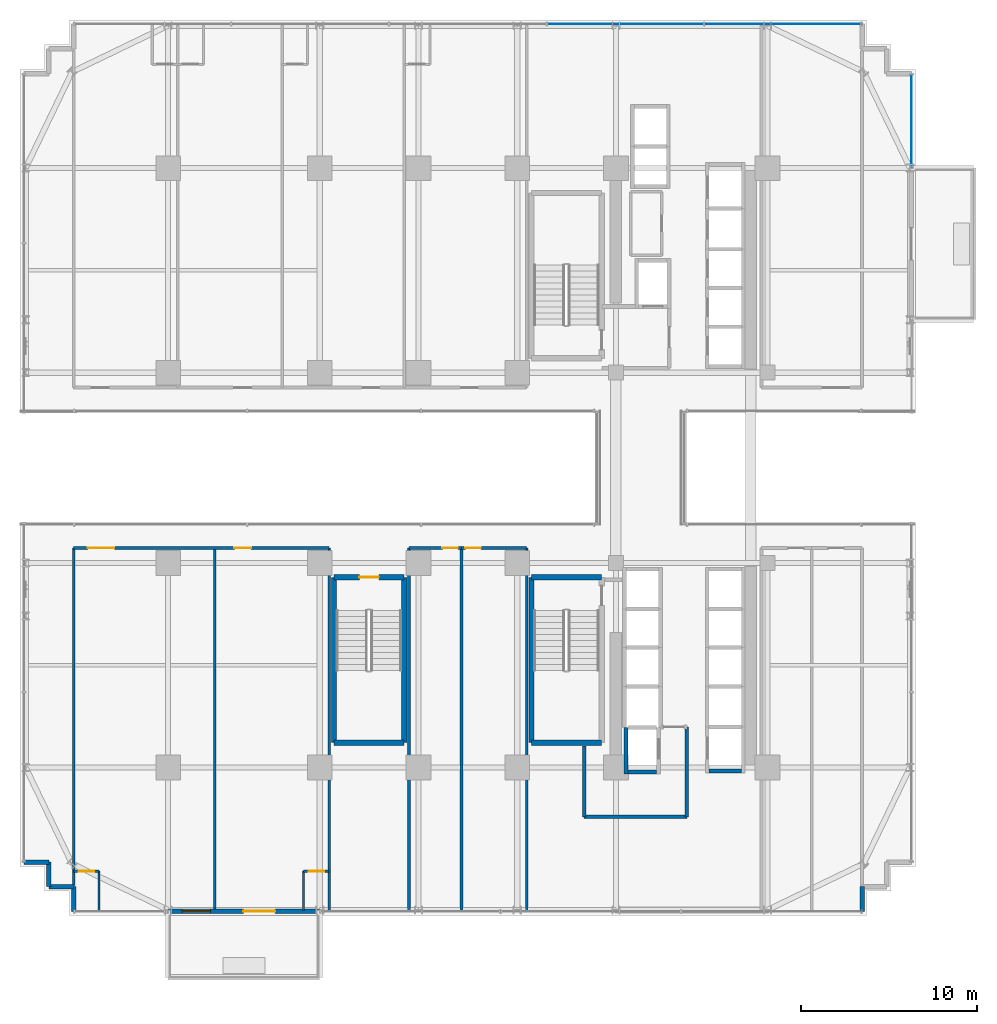
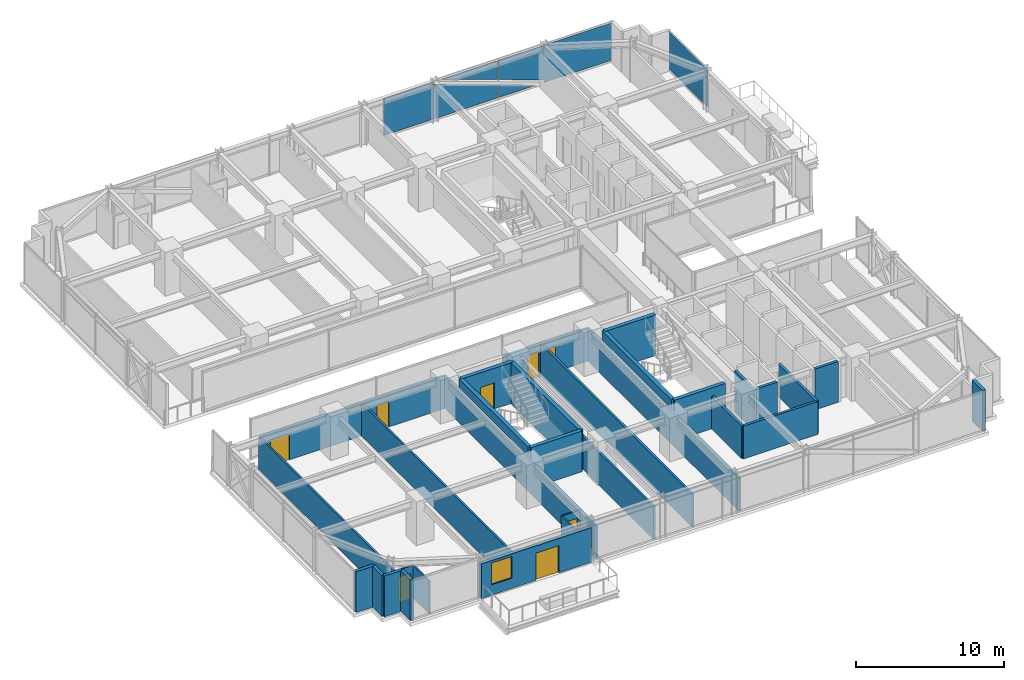
# One storey, part 35 of 43: 32 walls, 8 doors, 3 plates, 1 window, 9 openings, 2 elements without a shape of their own.
"""IFC4 building model written with IfcOpenShell, lengths in metres."""

from ifc_helpers import new_model, si_unit, direction, frame, frame_2d, origin, origin_2d, place, context, subcontext, project, spatial, polyline, rectangle, outline, extrude, source, transform, mapped, material, layer, layer_set, type_object, element, fill, aggregate, save


model = new_model("IFC4")

# Units and contexts
model_context = context("Model", 3, precision=1e-05, world=origin(), true_north=direction((0.0, 1.0)))
body_context = subcontext(model_context, "Body", "Model", "MODEL_VIEW")
ifc_project = project(units=[si_unit("LENGTHUNIT", "METRE"), si_unit("AREAUNIT", "SQUARE_METRE"), si_unit("VOLUMEUNIT", "CUBIC_METRE"), si_unit("PLANEANGLEUNIT", "RADIAN"), si_unit("MASSUNIT", "GRAM", prefix="KILO")], contexts=[model_context])

# Site, building, storey
site_placement = place(None, origin())
site = spatial("IfcSite", under=ifc_project, at=site_placement, CompositionType="ELEMENT")
building_placement = place(site_placement, origin())
building = spatial("IfcBuilding", under=site, at=building_placement, Name="Nahalor Promenade Grand Hotel", CompositionType="ELEMENT")
storey_placement = place(building_placement, frame((0.0, 0.0, 57.949951171875)))
storey = spatial("IfcBuildingStorey", under=building, at=storey_placement, Name="L13", CompositionType="ELEMENT", Elevation=57.949951171875)

# Curtain wall, plates
ifc_material_1 = material(Name="Anodised Bronze Aluminium EN AW-6063 T6", Category="aluminium")
curtain_wall_type = type_object("IfcCurtainWallType", Name="CW3 Elliptical-Void Collar Unitised Curtain Wall", PredefinedType="USERDEFINED", material=ifc_material_1)
curtain_wall_1_placement = place(storey_placement, origin())
curtain_wall_1 = element("IfcCurtainWall", 1, at=curtain_wall_1_placement, inside=storey, type_object=curtain_wall_type, Name="L13 Curtain Wall CW-L13-N-1", ObjectType="UNITISED_CURTAIN_WALL", PredefinedType="USERDEFINED")
ifc_material_2 = material(Name="Low-E Laminated Solar Glass", Category="glass")
ifc_layer_1 = layer(ifc_material_2, 0.030029296875)
ifc_layer_set_1 = layer_set([ifc_layer_1], Name="Low-E Laminated Solar Glass")
plate_type = type_object("IfcPlateType", Name="CWP3 High-Wind Laminated Bronze IGU 30mm", PredefinedType="CURTAIN_PANEL", material=ifc_layer_set_1)
plate_1_placement = place(storey_placement, frame((8.944091796875, 25.159912109375, 0.14013671875), z_axis=(0.0, 0.0, 1.0), x_axis=(1.0, 0.0, 0.0)))
plate_1 = element("IfcPlate", 2, at=plate_1_placement, type_object=plate_type, Name="CW-L13-N-1 Glazing Panel 3-0", PredefinedType="CURTAIN_PANEL", context=body_context, shape_type="SweptSolid", body=[
    extrude(outline(polyline([(-4.43701171875, 0.0), (4.43701171875, 0.0), (4.43701171875, 1.089599609375), (-0.634765625, 2.900146484375), (-0.56689453125, 3.090087890625), (-4.43701171875, 3.090087890625), (-4.43701171875, 0.0)])), frame((0.0, 0.01513671875, 0.0), z_axis=(0.0, -1.0, 0.0), x_axis=(1.0, 0.0, 0.0)), (0.0, 0.0, 1.0), 0.030029296875),
    extrude(outline(polyline([(4.43701171875, 1.51416015625), (4.43701171875, 3.090087890625), (0.02294921875, 3.090087890625), (4.43701171875, 1.51416015625)])), frame((0.0, 0.01513671875, 0.0), z_axis=(0.0, -1.0, 0.0), x_axis=(1.0, 0.0, 0.0)), (0.0, 0.0, 1.0), 0.030029296875),
])
plate_2_placement = place(storey_placement, frame((17.87060546875, 25.159912109375, 0.14013671875), z_axis=(0.0, 0.0, 1.0), x_axis=(1.0, 0.0, 0.0)))
plate_2 = element("IfcPlate", 3, at=plate_2_placement, type_object=plate_type, Name="CW-L13-N-1 Glazing Panel 4-0", PredefinedType="CURTAIN_PANEL", context=body_context, shape_type="SweptSolid", body=[
    extrude(outline(polyline([(4.41943359375, 3.090087890625), (-4.41943359375, 3.090087890625), (-4.41943359375, 1.4892578125), (-0.77978515625, 0.18994140625), (-0.847412109375, 0.0), (4.41943359375, 0.0), (4.41943359375, 3.090087890625)])), frame((0.0, 0.01513671875, 0.0), z_axis=(0.0, -1.0, 0.0), x_axis=(1.0, 0.0, 0.0)), (0.0, 0.0, 1.0), 0.030029296875),
    extrude(outline(polyline([(-4.41943359375, 1.064453125), (-4.41943359375, 0.0), (-1.437255859375, 0.0), (-4.41943359375, 1.064453125)])), frame((0.0, 0.01513671875, 0.0), z_axis=(0.0, -1.0, 0.0), x_axis=(1.0, 0.0, 0.0)), (0.0, 0.0, 1.0), 0.030029296875),
])
aggregate(curtain_wall_1, [plate_1, plate_2])

# Curtain wall, plate
curtain_wall_2_placement = place(storey_placement, origin())
curtain_wall_2 = element("IfcCurtainWall", 4, at=curtain_wall_2_placement, inside=storey, type_object=curtain_wall_type, Name="L13 Curtain Wall CW-L13-E-4", ObjectType="UNITISED_CURTAIN_WALL", PredefinedType="USERDEFINED")
shared_shape_1 = source(origin(), body_context, "Body", "SweptSolid", [
    extrude(rectangle(XDim=5.219970703125, YDim=0.030029296875, at=origin_2d()), origin(), (0.0, 0.0, 1.0), 3.090087890625),
])
plate_3_placement = place(storey_placement, frame((25.159912109375, 19.679931640625, 0.14013671875), z_axis=(0.0, 0.0, 1.0), x_axis=(0.0, 1.0, 0.0)))
plate_3 = element("IfcPlate", 5, at=plate_3_placement, type_object=plate_type, Name="CW-L13-E-4 Glazing Panel 0-0", PredefinedType="CURTAIN_PANEL", context=body_context, shape_type="MappedRepresentation", body=[
    mapped(shared_shape_1, transform((0.0, 0.0, 0.0), scale=1.0)),
])
aggregate(curtain_wall_2, [plate_3])

# Walls
ifc_material_3 = material(Name="Concrete B-50 (C40/50)", Category="concrete")
ifc_layer_2 = layer(ifc_material_3, 0.300048828125)
ifc_layer_set_2 = layer_set([ifc_layer_2], Name="Concrete B-50 (C40/50)")
wall_type_1 = type_object("IfcWallType", Name="Wall-ShaftShear-300", PredefinedType="SHEAR", material=ifc_layer_set_2)
shared_shape_2 = source(origin(), body_context, "Body", "SweptSolid", [
    extrude(rectangle(XDim=3.97998046875, YDim=0.300048828125, at=frame_2d((1.989990234375, 0.0))), origin(), (0.0, 0.0, 1.0), 3.3701171875),
])
for number, where, z_axis, x_axis, name in (
    (6, (3.610107421875, -15.590087890625, 0.0), (0.0, 0.0, 1.0), (1.0, 0.0, 0.0), "L13 Exit Stair ST2 Shaft Wall S"),
    (7, (3.610107421875, -6.2099609375, 0.0), (0.0, 0.0, 1.0), (1.0, 0.0, 0.0), "L13 Exit Stair ST2 Shaft Wall N"),
    (8, (-7.590087890625, -15.590087890625, 0.0), (0.0, 0.0, 1.0), (1.0, 0.0, 0.0), "L13 Exit Stair ST3 Shaft Wall S"),
):
    element("IfcWall", number, at=place(storey_placement, frame(where, z_axis=z_axis, x_axis=x_axis)), inside=storey, type_object=wall_type_1, Name=name, PredefinedType="SHEAR", context=body_context, shape_type="MappedRepresentation", body=[
        mapped(shared_shape_2, transform((0.0, 0.0, 0.0), scale=1.0)),
    ])

# Wall, opening, door
wall_1_placement = place(storey_placement, frame((-7.590087890625, -6.2099609375, 0.0), z_axis=(0.0, 0.0, 1.0), x_axis=(1.0, 0.0, 0.0)))
wall_1 = element("IfcWall", 9, at=wall_1_placement, inside=storey, type_object=wall_type_1, Name="L13 Exit Stair ST3 Shaft Wall N", PredefinedType="SHEAR", context=body_context, shape_type="MappedRepresentation", body=[
    mapped(shared_shape_2, transform((0.0, 0.0, 0.0), scale=1.0)),
])
opening_1_placement = place(wall_1_placement, frame((1.43994140625, 0.0, 0.0)))
opening_1 = element("IfcOpeningElement", 10, at=opening_1_placement, cuts=wall_1, Name="Opening D-ST1", PredefinedType="OPENING", context=body_context, shape_type="SweptSolid", body=[
    extrude(rectangle(XDim=1.10009765625, YDim=2.14990234375, at=frame_2d((0.550048828125, 1.074951171875))), frame((0.0, 0.159912109375, 0.0), z_axis=(0.0, -1.0, 0.0), x_axis=(1.0, 0.0, 0.0)), (0.0, 0.0, 1.0), 0.320068359375),
])
ifc_material_4 = material(Name="Steel S355JR", Category="steel")
door_type_1 = type_object("IfcDoorType", Name="Door-StairFire-1100", OperationType="NOTDEFINED", PredefinedType="DOOR", material=ifc_material_4)
shared_shape_3 = source(origin(), body_context, "Body", "SweptSolid", [
    extrude(rectangle(XDim=1.10009765625, YDim=2.14990234375, at=frame_2d((0.550048828125, 1.074951171875))), frame((0.0, 0.02490234375, 0.0), z_axis=(0.0, -1.0, 0.0), x_axis=(1.0, 0.0, 0.0)), (0.0, 0.0, 1.0), 0.050048828125),
])
door_1_placement = place(opening_1_placement, frame((1.10009765625, 0.0, 0.0), z_axis=(0.0, 0.0, 1.0), x_axis=(-1.0, 0.0, 0.0)))
door_1 = element("IfcDoor", 11, at=door_1_placement, inside=storey, type_object=door_type_1, Name="DR-STAIR-ST3-L13", OperationType="SINGLE_SWING_RIGHT", OverallHeight=2.14990234375, OverallWidth=1.10009765625, PredefinedType="DOOR", context=body_context, shape_type="MappedRepresentation", body=[
    mapped(shared_shape_3, transform((0.0, 0.0, 0.0), scale=1.0)),
])
fill(opening_1, door_1)

# Walls
shared_shape_4 = source(origin(), body_context, "Body", "SweptSolid", [
    extrude(rectangle(XDim=9.380126953125, YDim=0.300048828125, at=frame_2d((4.68994140625, 0.0))), origin(), (0.0, 0.0, 1.0), 3.3701171875),
])
for number, where, z_axis, x_axis, name in (
    (12, (3.610107421875, -15.590087890625, 0.0), (0.0, 0.0, 1.0), (0.0, 1.0, 0.0), "L13 Exit Stair ST2 Shaft Wall W"),
    (13, (-7.590087890625, -15.590087890625, 0.0), (0.0, 0.0, 1.0), (0.0, 1.0, 0.0), "L13 Exit Stair ST3 Shaft Wall W"),
    (14, (-3.610107421875, -15.590087890625, 0.0), (0.0, 0.0, 1.0), (0.0, 1.0, 0.0), "L13 Exit Stair ST3 Shaft Wall E"),
):
    element("IfcWall", number, at=place(storey_placement, frame(where, z_axis=z_axis, x_axis=x_axis)), inside=storey, type_object=wall_type_1, Name=name, PredefinedType="SHEAR", context=body_context, shape_type="MappedRepresentation", body=[
        mapped(shared_shape_4, transform((0.0, 0.0, 0.0), scale=1.0)),
    ])
ifc_layer_3 = layer(ifc_material_3, 0.219970703125)
ifc_layer_set_3 = layer_set([ifc_layer_3], Name="Concrete B-50 (C40/50)")
wall_type_2 = type_object("IfcWallType", Name="Wall-LiftShaft-220", PredefinedType="SHEAR", material=ifc_layer_set_3)
shared_shape_5 = source(origin(), body_context, "Body", "SweptSolid", [
    extrude(rectangle(XDim=1.820068359375, YDim=0.219970703125, at=frame_2d((0.91015625, 0.0))), origin(), (0.0, 0.0, 1.0), 3.3701171875),
])
wall_2_placement = place(storey_placement, frame((13.68994140625, -17.199951171875, 0.0), z_axis=(0.0, 0.0, 1.0), x_axis=(1.0, 0.0, 0.0)))
element("IfcWall", 15, at=wall_2_placement, inside=storey, type_object=wall_type_2, Name="L13 Lift SV2 Hoistway Wall S", PredefinedType="SHEAR", context=body_context, shape_type="MappedRepresentation", body=[
    mapped(shared_shape_5, transform((0.0, 0.0, 0.0), scale=1.0)),
])
shared_shape_6 = source(origin(), body_context, "Body", "SweptSolid", [
    extrude(rectangle(XDim=2.635009765625, YDim=0.219970703125, at=frame_2d((1.3173828125, 0.0))), origin(), (0.0, 0.0, 1.0), 3.3701171875),
])
wall_3_placement = place(storey_placement, frame((8.97998046875, -17.360107421875, 0.0), z_axis=(0.0, 0.0, 1.0), x_axis=(0.0, 1.0, 0.0)))
element("IfcWall", 16, at=wall_3_placement, inside=storey, type_object=wall_type_2, Name="L13 Lift FL2 Hoistway Wall W", PredefinedType="SHEAR", context=body_context, shape_type="MappedRepresentation", body=[
    mapped(shared_shape_6, transform((0.0, 0.0, 0.0), scale=1.0)),
])
shared_shape_7 = source(origin(), body_context, "Body", "SweptSolid", [
    extrude(rectangle(XDim=1.619873046875, YDim=0.219970703125, at=frame_2d((0.81005859375, 0.0))), origin(), (0.0, 0.0, 1.0), 3.3701171875),
])
wall_4_placement = place(storey_placement, frame((9.090087890625, -17.25, 0.0), z_axis=(0.0, 0.0, 1.0), x_axis=(1.0, 0.0, 0.0)))
element("IfcWall", 17, at=wall_4_placement, inside=storey, type_object=wall_type_2, Name="L13 Lift FL2 Hoistway Wall S", PredefinedType="SHEAR", context=body_context, shape_type="MappedRepresentation", body=[
    mapped(shared_shape_7, transform((0.0, 0.0, 0.0), scale=1.0)),
])
ifc_material_5 = material(Name="Concrete B-40 (C32/40)", Category="concrete")
ifc_layer_4 = layer(ifc_material_5, 0.25)
ifc_layer_set_4 = layer_set([ifc_layer_4], Name="Concrete B-40 (C32/40)")
wall_type_3 = type_object("IfcWallType", Name="Wall-BronzePier-250", PredefinedType="STANDARD", material=ifc_layer_set_4)
shared_shape_8 = source(origin(), body_context, "Body", "SweptSolid", [
    extrude(rectangle(XDim=1.39990234375, YDim=0.25, at=frame_2d((0.699951171875, 0.0))), origin(), (0.0, 0.0, 1.0), 3.3701171875),
])
for number, where, z_axis, x_axis, name in (
    (18, (22.360107421875, -25.159912109375, 0.0), (0.0, 0.0, 1.0), (0.0, 1.0, 0.0), "W-L13-SR-01"),
    (19, (-25.159912109375, -22.360107421875, 0.0), (0.0, 0.0, 1.0), (1.0, 0.0, 0.0), "W-L13-SR-13"),
    (20, (-23.760009765625, -23.760009765625, 0.0), (0.0, 0.0, 1.0), (0.0, 1.0, 0.0), "W-L13-SR-14"),
    (21, (-23.760009765625, -23.760009765625, 0.0), (0.0, 0.0, 1.0), (1.0, 0.0, 0.0), "W-L13-SR-15"),
    (22, (-22.360107421875, -25.159912109375, 0.0), (0.0, 0.0, 1.0), (0.0, 1.0, 0.0), "W-L13-SR-16"),
):
    element("IfcWall", number, at=place(storey_placement, frame(where, z_axis=z_axis, x_axis=x_axis)), inside=storey, type_object=wall_type_3, Name=name, PredefinedType="STANDARD", context=body_context, shape_type="MappedRepresentation", body=[
        mapped(shared_shape_8, transform((0.0, 0.0, 0.0), scale=1.0)),
    ])

# Wall, openings, door, window
ifc_layer_5 = layer(ifc_material_5, 0.260009765625)
ifc_layer_set_5 = layer_set([ifc_layer_5], Name="Concrete B-40 (C32/40)")
wall_type_4 = type_object("IfcWallType", Name="Wall-BalconyWall-260", PredefinedType="STANDARD", material=ifc_layer_set_5)
shared_shape_9 = source(origin(), body_context, "Body", "SweptSolid", [
    extrude(rectangle(XDim=8.60009765625, YDim=0.260009765625, at=frame_2d((4.300048828125, 0.0))), origin(), (0.0, 0.0, 1.0), 2.85009765625),
])
wall_5_placement = place(storey_placement, frame((-17.0, -25.159912109375, 0.0), z_axis=(0.0, 0.0, 1.0), x_axis=(1.0, 0.0, 0.0)))
wall_5 = element("IfcWall", 23, at=wall_5_placement, inside=storey, type_object=wall_type_4, Name="W-L13-BALC-S-2", PredefinedType="STANDARD", context=body_context, shape_type="MappedRepresentation", body=[
    mapped(shared_shape_9, transform((0.0, 0.0, 0.0), scale=1.0)),
])
opening_2_placement = place(wall_5_placement, frame((4.264892578125, 0.0, 0.0)))
opening_2 = element("IfcOpeningElement", 24, at=opening_2_placement, cuts=wall_5, Name="Opening D-BC1", PredefinedType="OPENING", context=body_context, shape_type="SweptSolid", body=[
    extrude(rectangle(XDim=1.800048828125, YDim=2.25, at=frame_2d((0.89990234375, 1.125))), frame((0.0, 0.139892578125, 0.0), z_axis=(0.0, -1.0, 0.0), x_axis=(1.0, 0.0, 0.0)), (0.0, 0.0, 1.0), 0.280029296875),
])
opening_3_placement = place(wall_5_placement, frame((0.794921875, 0.0, 0.85009765625)))
opening_3 = element("IfcOpeningElement", 25, at=opening_3_placement, cuts=wall_5, Name="Opening WN-03", PredefinedType="OPENING", context=body_context, shape_type="SweptSolid", body=[
    extrude(rectangle(XDim=1.60009765625, YDim=1.800048828125, at=frame_2d((0.800048828125, 0.89990234375))), frame((0.0, 0.139892578125, 0.0), z_axis=(0.0, -1.0, 0.0), x_axis=(1.0, 0.0, 0.0)), (0.0, 0.0, 1.0), 0.280029296875),
])
door_type_2 = type_object("IfcDoorType", Name="Door-BalconySlide-1800", OperationType="DOUBLE_DOOR_SLIDING", PredefinedType="DOOR", material=ifc_material_1)
shared_shape_10 = source(origin(), body_context, "Body", "SweptSolid", [
    extrude(rectangle(XDim=1.800048828125, YDim=2.25, at=frame_2d((0.89990234375, 1.125))), frame((0.0, 0.02490234375, 0.0), z_axis=(0.0, -1.0, 0.0), x_axis=(1.0, 0.0, 0.0)), (0.0, 0.0, 1.0), 0.050048828125),
])
door_2_placement = place(opening_2_placement, frame((1.800048828125, 0.0, 0.0), z_axis=(0.0, 0.0, 1.0), x_axis=(-1.0, 0.0, 0.0)))
door_2 = element("IfcDoor", 26, at=door_2_placement, inside=storey, type_object=door_type_2, Name="DR-L13-BALC-S-2", OperationType="DOUBLE_DOOR_SLIDING", OverallHeight=2.25, OverallWidth=1.800048828125, PredefinedType="DOOR", context=body_context, shape_type="MappedRepresentation", body=[
    mapped(shared_shape_10, transform((0.0, 0.0, 0.0), scale=1.0)),
])
fill(opening_2, door_2)
window_type = type_object("IfcWindowType", Name="Win-CrownVented-1600x1800", PartitioningType="SINGLE_PANEL", PredefinedType="WINDOW", material=ifc_material_2)
shared_shape_11 = source(origin(), body_context, "Body", "SweptSolid", [
    extrude(rectangle(XDim=1.60009765625, YDim=1.800048828125, at=frame_2d((0.800048828125, 0.89990234375))), frame((0.0, 0.030029296875, 0.0), z_axis=(0.0, -1.0, 0.0), x_axis=(1.0, 0.0, 0.0)), (0.0, 0.0, 1.0), 0.06005859375),
])
window_placement = place(opening_3_placement, origin())
window = element("IfcWindow", 27, at=window_placement, inside=storey, type_object=window_type, Name="WN-L13-BALC-S-2-1", OverallHeight=1.800048828125, OverallWidth=1.60009765625, PartitioningType="SINGLE_PANEL", PredefinedType="WINDOW", context=body_context, shape_type="MappedRepresentation", body=[
    mapped(shared_shape_11, transform((0.0, 0.0, 0.0), scale=1.0)),
])
fill(opening_3, window)

# Walls
ifc_layer_6 = layer(ifc_material_5, 0.199951171875)
ifc_layer_set_6 = layer_set([ifc_layer_6], Name="Concrete B-40 (C32/40)")
wall_type_5 = type_object("IfcWallType", Name="Wall-PartFire-200", PredefinedType="PARTITIONING", material=ifc_layer_set_6)
shared_shape_12 = source(origin(), body_context, "Body", "SweptSolid", [
    extrude(rectangle(XDim=5.81982421875, YDim=0.199951171875, at=frame_2d((2.909912109375, 0.0))), origin(), (0.0, 0.0, 1.0), 2.7099609375),
])
wall_6_placement = place(storey_placement, frame((6.60009765625, -19.800048828125, 0.0), z_axis=(0.0, 0.0, 1.0), x_axis=(1.0, 0.0, 0.0)))
element("IfcWall", 28, at=wall_6_placement, inside=storey, type_object=wall_type_5, Name="W-L13-FF2-S1", PredefinedType="PARTITIONING", context=body_context, shape_type="MappedRepresentation", body=[
    mapped(shared_shape_12, transform((0.0, 0.0, 0.0), scale=1.0)),
])
shared_shape_13 = source(origin(), body_context, "Body", "SweptSolid", [
    extrude(rectangle(XDim=4.030029296875, YDim=0.199951171875, at=frame_2d((2.01513671875, 0.0))), origin(), (0.0, 0.0, 1.0), 2.7099609375),
])
wall_7_placement = place(storey_placement, frame((6.60009765625, -19.800048828125, 0.0), z_axis=(0.0, 0.0, 1.0), x_axis=(0.0, 1.0, 0.0)))
element("IfcWall", 29, at=wall_7_placement, inside=storey, type_object=wall_type_5, Name="W-L13-FF2-W1", PredefinedType="PARTITIONING", context=body_context, shape_type="MappedRepresentation", body=[
    mapped(shared_shape_13, transform((0.0, 0.0, 0.0), scale=1.0)),
])
shared_shape_14 = source(origin(), body_context, "Body", "SweptSolid", [
    extrude(rectangle(XDim=5.10009765625, YDim=0.199951171875, at=frame_2d((2.550048828125, 0.0))), origin(), (0.0, 0.0, 1.0), 2.7099609375),
])
wall_8_placement = place(storey_placement, frame((12.419921875, -19.800048828125, 0.0), z_axis=(0.0, 0.0, 1.0), x_axis=(0.0, 1.0, 0.0)))
element("IfcWall", 30, at=wall_8_placement, inside=storey, type_object=wall_type_5, Name="W-L13-FF2-E", PredefinedType="PARTITIONING", context=body_context, shape_type="MappedRepresentation", body=[
    mapped(shared_shape_14, transform((0.0, 0.0, 0.0), scale=1.0)),
])
ifc_material_6 = material(Name="Acoustic Mineral Gypsum", Category="gypsum")
ifc_layer_7 = layer(ifc_material_6, 0.159912109375)
ifc_layer_set_7 = layer_set([ifc_layer_7], Name="Acoustic Mineral Gypsum")
wall_type_6 = type_object("IfcWallType", Name="Wall-PartCorridor-160", PredefinedType="PARTITIONING", material=ifc_layer_set_7)
shared_shape_15 = source(origin(), body_context, "Body", "SweptSolid", [
    extrude(rectangle(XDim=20.550048828125, YDim=0.159912109375, at=frame_2d((10.27490234375, 0.0))), origin(), (0.0, 0.0, 1.0), 2.7099609375),
])
for number, where, z_axis, x_axis, name in (
    (31, (-3.340087890625, -25.10009765625, 0.0), (0.0, 0.0, 1.0), (0.0, 1.0, 0.0), "W-L13-SCB1-W"),
    (32, (-0.35009765625, -25.10009765625, 0.0), (0.0, 0.0, 1.0), (0.0, 1.0, 0.0), "W-L13-SCB1-E"),
    (33, (3.340087890625, -25.10009765625, 0.0), (0.0, 0.0, 1.0), (0.0, 1.0, 0.0), "W-L13-SCB2-E"),
):
    element("IfcWall", number, at=place(storey_placement, frame(where, z_axis=z_axis, x_axis=x_axis)), inside=storey, type_object=wall_type_6, Name=name, PredefinedType="PARTITIONING", context=body_context, shape_type="MappedRepresentation", body=[
        mapped(shared_shape_15, transform((0.0, 0.0, 0.0), scale=1.0)),
    ])
ifc_layer_8 = layer(ifc_material_6, 0.139892578125)
ifc_layer_set_8 = layer_set([ifc_layer_8], Name="Acoustic Mineral Gypsum")
wall_type_7 = type_object("IfcWallType", Name="Wall-PartSuite-140", PredefinedType="PARTITIONING", material=ifc_layer_set_8)
shared_shape_16 = source(origin(), body_context, "Body", "SweptSolid", [
    extrude(rectangle(XDim=19.1298828125, YDim=0.139892578125, at=frame_2d((9.56494140625, 0.0))), origin(), (0.0, 0.0, 1.0), 2.7099609375),
])
wall_9_placement = place(storey_placement, frame((-22.360107421875, -23.679931640625, 0.0), z_axis=(0.0, 0.0, 1.0), x_axis=(0.0, 1.0, 0.0)))
element("IfcWall", 34, at=wall_9_placement, inside=storey, type_object=wall_type_7, Name="W-L13-SW-ENDW", PredefinedType="PARTITIONING", context=body_context, shape_type="MappedRepresentation", body=[
    mapped(shared_shape_16, transform((0.0, 0.0, 0.0), scale=1.0)),
])
shared_shape_17 = source(origin(), body_context, "Body", "SweptSolid", [
    extrude(rectangle(XDim=20.550048828125, YDim=0.139892578125, at=frame_2d((10.27490234375, 0.0))), origin(), (0.0, 0.0, 1.0), 2.7099609375),
])
for number, where, z_axis, x_axis, name in (
    (35, (-7.860107421875, -25.10009765625, 0.0), (0.0, 0.0, 1.0), (0.0, 1.0, 0.0), "W-L13-SW-ENDE"),
    (36, (-14.360107421875, -25.10009765625, 0.0), (0.0, 0.0, 1.0), (0.0, 1.0, 0.0), "W-L13-SP-1"),
):
    element("IfcWall", number, at=place(storey_placement, frame(where, z_axis=z_axis, x_axis=x_axis)), inside=storey, type_object=wall_type_7, Name=name, PredefinedType="PARTITIONING", context=body_context, shape_type="MappedRepresentation", body=[
        mapped(shared_shape_17, transform((0.0, 0.0, 0.0), scale=1.0)),
    ])

# Wall, opening, door
ifc_layer_9 = layer(ifc_material_6, 0.1201171875)
ifc_layer_set_9 = layer_set([ifc_layer_9], Name="Acoustic Mineral Gypsum")
wall_type_8 = type_object("IfcWallType", Name="Wall-PartBath-120", PredefinedType="PARTITIONING", material=ifc_layer_set_9)
shared_shape_18 = source(origin(), body_context, "Body", "SweptSolid", [
    extrude(rectangle(XDim=1.4501953125, YDim=0.1201171875, at=frame_2d((0.72509765625, 0.0))), origin(), (0.0, 0.0, 1.0), 2.7099609375),
])
wall_10_placement = place(storey_placement, frame((-22.360107421875, -22.8798828125, 0.0), z_axis=(0.0, 0.0, 1.0), x_axis=(1.0, 0.0, 0.0)))
wall_10 = element("IfcWall", 37, at=wall_10_placement, inside=storey, type_object=wall_type_8, Name="W-L13-S1-BH", PredefinedType="PARTITIONING", context=body_context, shape_type="MappedRepresentation", body=[
    mapped(shared_shape_18, transform((0.0, 0.0, 0.0), scale=1.0)),
])
opening_4_placement = place(wall_10_placement, frame((0.284912109375, 0.0, 0.0)))
opening_4 = element("IfcOpeningElement", 38, at=opening_4_placement, cuts=wall_10, Name="Opening D-03", PredefinedType="OPENING", context=body_context, shape_type="SweptSolid", body=[
    extrude(rectangle(XDim=0.8798828125, YDim=2.10009765625, at=frame_2d((0.43994140625, 1.050048828125))), frame((0.0, 0.070068359375, 0.0), z_axis=(0.0, -1.0, 0.0), x_axis=(1.0, 0.0, 0.0)), (0.0, 0.0, 1.0), 0.14013671875),
])
ifc_material_7 = material(Name="Fire-Rated Timber Composite", Category="wood")
door_type_3 = type_object("IfcDoorType", Name="Door-BathSwing-880", OperationType="NOTDEFINED", PredefinedType="DOOR", material=ifc_material_7)
shared_shape_19 = source(origin(), body_context, "Body", "SweptSolid", [
    extrude(rectangle(XDim=0.8798828125, YDim=2.10009765625, at=frame_2d((0.43994140625, 1.050048828125))), frame((0.0, 0.02490234375, 0.0), z_axis=(0.0, -1.0, 0.0), x_axis=(1.0, 0.0, 0.0)), (0.0, 0.0, 1.0), 0.050048828125),
])
door_3_placement = place(opening_4_placement, frame((0.8798828125, 0.0, 0.0), z_axis=(0.0, 0.0, 1.0), x_axis=(-1.0, 0.0, 0.0)))
door_3 = element("IfcDoor", 39, at=door_3_placement, inside=storey, type_object=door_type_3, Name="DR-L13-S1-BATH", OperationType="SINGLE_SWING_LEFT", OverallHeight=2.10009765625, OverallWidth=0.8798828125, PredefinedType="DOOR", context=body_context, shape_type="MappedRepresentation", body=[
    mapped(shared_shape_19, transform((0.0, 0.0, 0.0), scale=1.0)),
])
fill(opening_4, door_3)

# Walls
shared_shape_20 = source(origin(), body_context, "Body", "SweptSolid", [
    extrude(rectangle(XDim=2.22021484375, YDim=0.1201171875, at=frame_2d((1.110107421875, 0.0))), origin(), (0.0, 0.0, 1.0), 2.7099609375),
])
for number, where, z_axis, x_axis, name in (
    (40, (-20.909912109375, -25.10009765625, 0.0), (0.0, 0.0, 1.0), (0.0, 1.0, 0.0), "W-L13-S1-BV"),
    (41, (-9.31005859375, -25.10009765625, 0.0), (0.0, 0.0, 1.0), (0.0, 1.0, 0.0), "W-L13-S2-BV"),
):
    element("IfcWall", number, at=place(storey_placement, frame(where, z_axis=z_axis, x_axis=x_axis)), inside=storey, type_object=wall_type_8, Name=name, PredefinedType="PARTITIONING", context=body_context, shape_type="MappedRepresentation", body=[
        mapped(shared_shape_20, transform((0.0, 0.0, 0.0), scale=1.0)),
    ])

# Wall, opening, door
shared_shape_21 = source(origin(), body_context, "Body", "SweptSolid", [
    extrude(rectangle(XDim=1.449951171875, YDim=0.1201171875, at=frame_2d((0.72509765625, 0.0))), origin(), (0.0, 0.0, 1.0), 2.7099609375),
])
wall_11_placement = place(storey_placement, frame((-9.31005859375, -22.8798828125, 0.0), z_axis=(0.0, 0.0, 1.0), x_axis=(1.0, 0.0, 0.0)))
wall_11 = element("IfcWall", 42, at=wall_11_placement, inside=storey, type_object=wall_type_8, Name="W-L13-S2-BH", PredefinedType="PARTITIONING", context=body_context, shape_type="MappedRepresentation", body=[
    mapped(shared_shape_21, transform((0.0, 0.0, 0.0), scale=1.0)),
])
opening_5_placement = place(wall_11_placement, frame((0.284912109375, 0.0, 0.0)))
opening_5 = element("IfcOpeningElement", 43, at=opening_5_placement, cuts=wall_11, Name="Opening D-03", PredefinedType="OPENING", context=body_context, shape_type="SweptSolid", body=[
    extrude(rectangle(XDim=0.8798828125, YDim=2.10009765625, at=frame_2d((0.43994140625, 1.050048828125))), frame((0.0, 0.070068359375, 0.0), z_axis=(0.0, -1.0, 0.0), x_axis=(1.0, 0.0, 0.0)), (0.0, 0.0, 1.0), 0.14013671875),
])
door_4_placement = place(opening_5_placement, frame((0.8798828125, 0.0, 0.0), z_axis=(0.0, 0.0, 1.0), x_axis=(-1.0, 0.0, 0.0)))
door_4 = element("IfcDoor", 44, at=door_4_placement, inside=storey, type_object=door_type_3, Name="DR-L13-S2-BATH", OperationType="SINGLE_SWING_RIGHT", OverallHeight=2.10009765625, OverallWidth=0.8798828125, PredefinedType="DOOR", context=body_context, shape_type="MappedRepresentation", body=[
    mapped(shared_shape_19, transform((0.0, 0.0, 0.0), scale=1.0)),
])
fill(opening_5, door_4)

# Wall, openings, doors
shared_shape_22 = source(origin(), body_context, "Body", "SweptSolid", [
    extrude(rectangle(XDim=14.5, YDim=0.159912109375, at=frame_2d((7.25, 0.0))), origin(), (0.0, 0.0, 1.0), 2.7099609375),
])
wall_12_placement = place(storey_placement, frame((-22.360107421875, -4.550048828125, 0.0), z_axis=(0.0, 0.0, 1.0), x_axis=(1.0, 0.0, 0.0)))
wall_12 = element("IfcWall", 45, at=wall_12_placement, inside=storey, type_object=wall_type_6, Name="W-L13-CORR-S", PredefinedType="PARTITIONING", context=body_context, shape_type="MappedRepresentation", body=[
    mapped(shared_shape_22, transform((0.0, 0.0, 0.0), scale=1.0)),
])
opening_6_placement = place(wall_12_placement, frame((0.80810546875, 0.0, 0.0)))
opening_6 = element("IfcOpeningElement", 46, at=opening_6_placement, cuts=wall_12, Name="Opening D-02", PredefinedType="OPENING", context=body_context, shape_type="SweptSolid", body=[
    extrude(rectangle(XDim=1.5, YDim=2.14990234375, at=frame_2d((0.75, 1.074951171875))), frame((0.0, 0.08984375, 0.0), z_axis=(0.0, -1.0, 0.0), x_axis=(1.0, 0.0, 0.0)), (0.0, 0.0, 1.0), 0.179931640625),
])
opening_7_placement = place(wall_12_placement, frame((9.1259765625, 0.0, 0.0)))
opening_7 = element("IfcOpeningElement", 47, at=opening_7_placement, cuts=wall_12, Name="Opening D-01", PredefinedType="OPENING", context=body_context, shape_type="SweptSolid", body=[
    extrude(rectangle(XDim=0.949951171875, YDim=2.10009765625, at=frame_2d((0.47509765625, 1.050048828125))), frame((0.0, 0.08984375, 0.0), z_axis=(0.0, -1.0, 0.0), x_axis=(1.0, 0.0, 0.0)), (0.0, 0.0, 1.0), 0.179931640625),
])
door_type_4 = type_object("IfcDoorType", Name="Door-SuiteDouble-1500", OperationType="DOUBLE_DOOR_SINGLE_SWING", PredefinedType="DOOR", material=ifc_material_7)
shared_shape_23 = source(origin(), body_context, "Body", "SweptSolid", [
    extrude(rectangle(XDim=1.5, YDim=2.14990234375, at=frame_2d((0.75, 1.074951171875))), frame((0.0, 0.02490234375, 0.0), z_axis=(0.0, -1.0, 0.0), x_axis=(1.0, 0.0, 0.0)), (0.0, 0.0, 1.0), 0.050048828125),
])
door_5_placement = place(opening_6_placement, frame((1.5, 0.0, 0.0), z_axis=(0.0, 0.0, 1.0), x_axis=(-1.0, 0.0, 0.0)))
door_5 = element("IfcDoor", 48, at=door_5_placement, inside=storey, type_object=door_type_4, Name="DR-L13-S1-ENT", OperationType="DOUBLE_DOOR_SINGLE_SWING", OverallHeight=2.14990234375, OverallWidth=1.5, PredefinedType="DOOR", context=body_context, shape_type="MappedRepresentation", body=[
    mapped(shared_shape_23, transform((0.0, 0.0, 0.0), scale=1.0)),
])
fill(opening_6, door_5)
door_type_5 = type_object("IfcDoorType", Name="Door-GuestEntry-950", OperationType="NOTDEFINED", PredefinedType="DOOR", material=ifc_material_7)
shared_shape_24 = source(origin(), body_context, "Body", "SweptSolid", [
    extrude(rectangle(XDim=0.949951171875, YDim=2.10009765625, at=frame_2d((0.47509765625, 1.050048828125))), frame((0.0, 0.02490234375, 0.0), z_axis=(0.0, -1.0, 0.0), x_axis=(1.0, 0.0, 0.0)), (0.0, 0.0, 1.0), 0.050048828125),
])
door_6_placement = place(opening_7_placement, frame((0.949951171875, 0.0, 0.0), z_axis=(0.0, 0.0, 1.0), x_axis=(-1.0, 0.0, 0.0)))
door_6 = element("IfcDoor", 49, at=door_6_placement, inside=storey, type_object=door_type_5, Name="DR-L13-S2-ENT", OperationType="SINGLE_SWING_LEFT", OverallHeight=2.10009765625, OverallWidth=0.949951171875, PredefinedType="DOOR", context=body_context, shape_type="MappedRepresentation", body=[
    mapped(shared_shape_24, transform((0.0, 0.0, 0.0), scale=1.0)),
])
fill(opening_7, door_6)

# Wall, opening, door
shared_shape_25 = source(origin(), body_context, "Body", "SweptSolid", [
    extrude(rectangle(XDim=2.989990234375, YDim=0.159912109375, at=frame_2d((1.4951171875, 0.0))), origin(), (0.0, 0.0, 1.0), 2.7099609375),
])
wall_13_placement = place(storey_placement, frame((-3.340087890625, -4.550048828125, 0.0), z_axis=(0.0, 0.0, 1.0), x_axis=(1.0, 0.0, 0.0)))
wall_13 = element("IfcWall", 50, at=wall_13_placement, inside=storey, type_object=wall_type_6, Name="W-L13-SCB1-N", PredefinedType="PARTITIONING", context=body_context, shape_type="MappedRepresentation", body=[
    mapped(shared_shape_25, transform((0.0, 0.0, 0.0), scale=1.0)),
])
opening_8_placement = place(wall_13_placement, frame((1.89990234375, 0.0, 0.0)))
opening_8 = element("IfcOpeningElement", 51, at=opening_8_placement, cuts=wall_13, Name="Opening D-03", PredefinedType="OPENING", context=body_context, shape_type="SweptSolid", body=[
    extrude(rectangle(XDim=0.8798828125, YDim=2.10009765625, at=frame_2d((0.43994140625, 1.050048828125))), frame((0.0, 0.08984375, 0.0), z_axis=(0.0, -1.0, 0.0), x_axis=(1.0, 0.0, 0.0)), (0.0, 0.0, 1.0), 0.179931640625),
])
door_7_placement = place(opening_8_placement, frame((0.8798828125, 0.0, 0.0), z_axis=(0.0, 0.0, 1.0), x_axis=(-1.0, 0.0, 0.0)))
door_7 = element("IfcDoor", 52, at=door_7_placement, inside=storey, type_object=door_type_3, Name="DR-L13-SCB1", OperationType="SINGLE_SWING_RIGHT", OverallHeight=2.10009765625, OverallWidth=0.8798828125, PredefinedType="DOOR", context=body_context, shape_type="MappedRepresentation", body=[
    mapped(shared_shape_19, transform((0.0, 0.0, 0.0), scale=1.0)),
])
fill(opening_8, door_7)

shared_shape_26 = source(origin(), body_context, "Body", "SweptSolid", [
    extrude(rectangle(XDim=3.690185546875, YDim=0.159912109375, at=frame_2d((1.84521484375, 0.0))), origin(), (0.0, 0.0, 1.0), 2.7099609375),
])
wall_14_placement = place(storey_placement, frame((-0.35009765625, -4.550048828125, 0.0), z_axis=(0.0, 0.0, 1.0), x_axis=(1.0, 0.0, 0.0)))
wall_14 = element("IfcWall", 53, at=wall_14_placement, inside=storey, type_object=wall_type_6, Name="W-L13-SCB2-N", PredefinedType="PARTITIONING", context=body_context, shape_type="MappedRepresentation", body=[
    mapped(shared_shape_26, transform((0.0, 0.0, 0.0), scale=1.0)),
])
opening_9_placement = place(wall_14_placement, frame((0.2099609375, 0.0, 0.0)))
opening_9 = element("IfcOpeningElement", 54, at=opening_9_placement, cuts=wall_14, Name="Opening D-03", PredefinedType="OPENING", context=body_context, shape_type="SweptSolid", body=[
    extrude(rectangle(XDim=0.8798828125, YDim=2.10009765625, at=frame_2d((0.43994140625, 1.050048828125))), frame((0.0, 0.08984375, 0.0), z_axis=(0.0, -1.0, 0.0), x_axis=(1.0, 0.0, 0.0)), (0.0, 0.0, 1.0), 0.179931640625),
])
door_8_placement = place(opening_9_placement, frame((0.8798828125, 0.0, 0.0), z_axis=(0.0, 0.0, 1.0), x_axis=(-1.0, 0.0, 0.0)))
door_8 = element("IfcDoor", 55, at=door_8_placement, inside=storey, type_object=door_type_3, Name="DR-L13-SCB2", OperationType="SINGLE_SWING_LEFT", OverallHeight=2.10009765625, OverallWidth=0.8798828125, PredefinedType="DOOR", context=body_context, shape_type="MappedRepresentation", body=[
    mapped(shared_shape_19, transform((0.0, 0.0, 0.0), scale=1.0)),
])
fill(opening_9, door_8)

save(model, "model.ifc")
